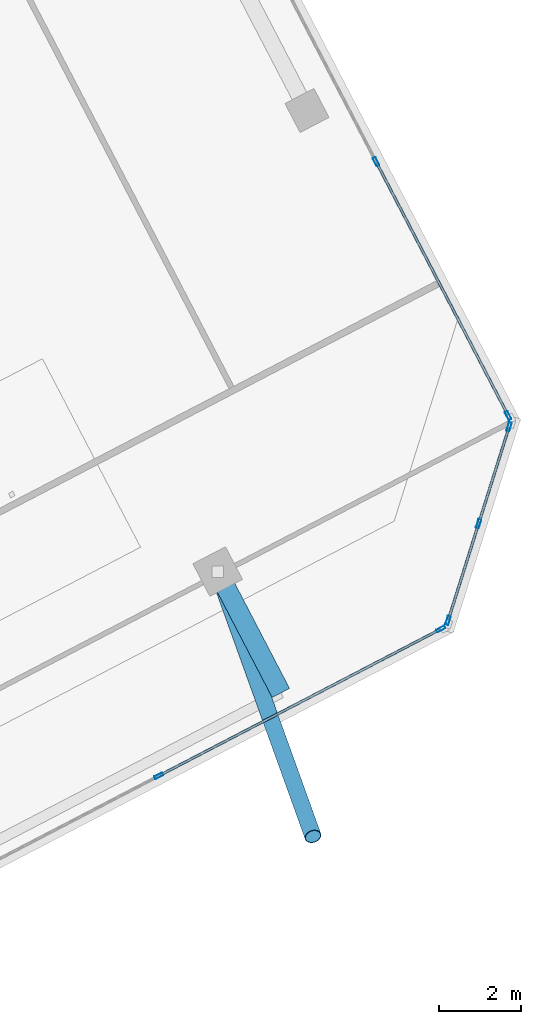
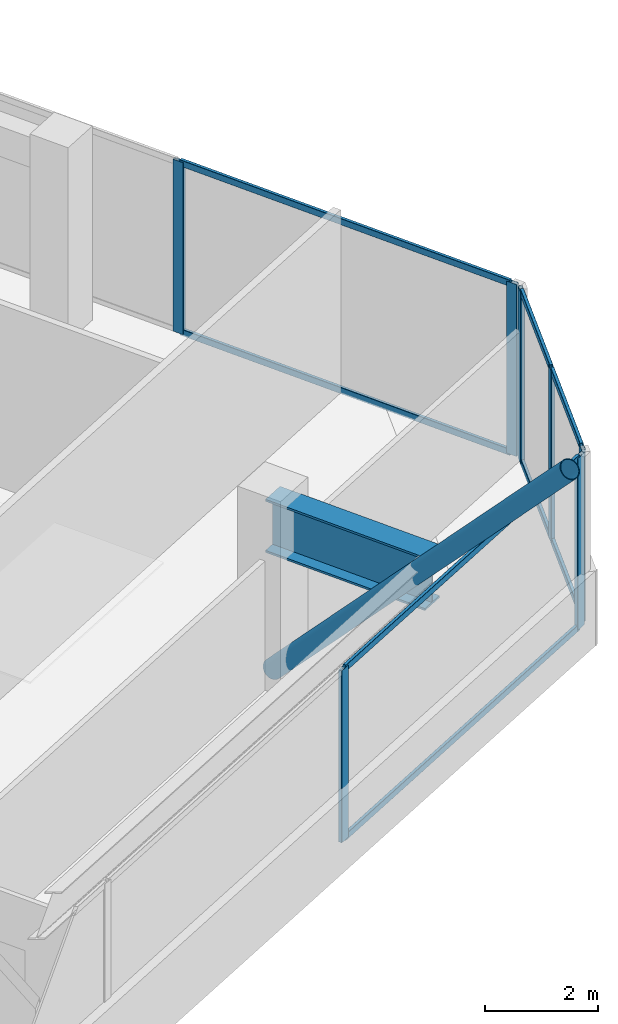
# One storey, part 6 of 17: 16 members, 1 beam, 3 elements without a shape of their own.
"""IFC4 building model written with IfcOpenShell, lengths in metres."""

from ifc_helpers import new_model, si_unit, direction, frame, origin, origin_2d, place, context, subcontext, project, spatial, hollow_rectangle, hollow_circle, i_section, extrude, source, transform, mapped, material, material_profile, profile_set, type_object, element, aggregate, save


model = new_model("IFC4")

# Units and contexts
model_context = context("Model", 3, precision=1e-05, world=origin(), true_north=direction((0.0, 1.0)))
body_context = subcontext(model_context, "Body", "Model", "MODEL_VIEW")
ifc_project = project(units=[si_unit("LENGTHUNIT", "METRE"), si_unit("AREAUNIT", "SQUARE_METRE"), si_unit("VOLUMEUNIT", "CUBIC_METRE"), si_unit("PLANEANGLEUNIT", "RADIAN"), si_unit("MASSUNIT", "GRAM", prefix="KILO")], contexts=[model_context])

# Site, building, storey
site_placement = place(None, origin())
site = spatial("IfcSite", under=ifc_project, at=site_placement, CompositionType="ELEMENT")
building_placement = place(site_placement, origin())
building = spatial("IfcBuilding", under=site, at=building_placement, Name="Torre Montelarca", CompositionType="ELEMENT")
storey_placement = place(building_placement, frame((0.0, 0.0, 332.39990234375)))
storey = spatial("IfcBuildingStorey", under=building, at=storey_placement, Name="L75", CompositionType="ELEMENT", Elevation=332.39990234375)

# Member
ifc_material_1 = material(Name="Steel ASTM A500 Grade C", Category="steel")
ifc_material_profile_1 = material_profile(ifc_material_1, hollow_circle(Radius=0.203125, WallThickness=0.015869140625, at=origin_2d()), Name="HSS406.4X15.9", Category="steel")
ifc_profile_set_1 = profile_set([ifc_material_profile_1], Name="Steel ASTM A500 Grade C")
member_type_1 = type_object("IfcMemberType", Name="MB-BR-CHS406-EXT", PredefinedType="BRACE", material=ifc_profile_set_1)
shared_shape_1 = source(origin(), body_context, "Body", "SweptSolid", [
    extrude(hollow_circle(Radius=0.203125, WallThickness=0.015869140625, at=origin_2d()), origin(), (0.0, 0.0, 1.0), 10.137451171875),
])
member_1_placement = place(storey_placement, frame((35.29150390625, 22.832275390625, 0.150146484375), z_axis=(0.230233342146, -0.639595931038, 0.733423242858), x_axis=(0.940897347367, 0.338691868395, 0.0)))
element("IfcMember", 1, at=member_1_placement, inside=storey, type_object=member_type_1, Name="L77 Sliding Tray Exterior Diagonal Raker Strut SKYLNG-E2", PredefinedType="BRACE", context=body_context, shape_type="MappedRepresentation", body=[
    mapped(shared_shape_1, transform((0.0, 0.0, 0.0), scale=1.0)),
])

# Beam
ifc_material_2 = material(Name="Steel ASTM A572 Grade 50", Category="steel")
ifc_material_profile_2 = material_profile(ifc_material_2, i_section(OverallWidth=0.47998046875, OverallDepth=1.14990234375, WebThickness=0.02197265625, FlangeThickness=0.044921875, at=origin_2d()), Name="PG1150X480X22X45", Category="steel")
ifc_profile_set_2 = profile_set([ifc_material_profile_2], Name="Steel ASTM A572 Grade 50")
beam_type = type_object("IfcBeamType", Name="BM-CG-PG1400-EXT", PredefinedType="USERDEFINED", material=ifc_profile_set_2)
shared_shape_2 = source(origin(), body_context, "Body", "SweptSolid", [
    extrude(i_section(OverallWidth=0.47998046875, OverallDepth=1.14990234375, WebThickness=0.02197265625, FlangeThickness=0.044921875, at=origin_2d()), origin(), (0.0, 0.0, 1.0), 3.349853515625),
])
beam_placement = place(storey_placement, frame((35.29150390625, 22.832275390625, 3.385009765625), z_axis=(0.461758844256, -0.887005507171, 0.0), x_axis=(0.887005507171, 0.461758844256, 0.0)))
element("IfcBeam", 2, at=beam_placement, inside=storey, type_object=beam_type, Name="L75 Sliding Tray Cantilever Girder East Y=40m (FLR)", ObjectType="CANTILEVER GIRDER", PredefinedType="USERDEFINED", context=body_context, shape_type="MappedRepresentation", body=[
    mapped(shared_shape_2, transform((0.0, 0.0, 0.0), scale=1.0)),
])

# Curtain wall, members
ifc_material_3 = material(Name="Insulated low-E laminated glass", Category="glass")
curtain_wall_type = type_object("IfcCurtainWallType", Name="CW-SYS-Z4", PredefinedType="USERDEFINED", material=ifc_material_3)
curtain_wall_1_placement = place(storey_placement, origin())
curtain_wall_1 = element("IfcCurtainWall", 3, at=curtain_wall_1_placement, inside=storey, type_object=curtain_wall_type, Name="L75 Curtain Wall Run CW-T3-L75-E06-B1", ObjectType="UNITISED GLAZING", PredefinedType="USERDEFINED")
ifc_material_4 = material(Name="Anodised aluminium AA 6063-T6", Category="aluminium")
ifc_material_profile_3 = material_profile(ifc_material_4, hollow_rectangle(XDim=0.074951171875, YDim=0.219970703125, WallThickness=0.0048828125, InnerFilletRadius=0.0048828125, OuterFilletRadius=0.010009765625, at=origin_2d()), Name="ALU75X220X5", Category="aluminium")
ifc_profile_set_3 = profile_set([ifc_material_profile_3], Name="Anodised aluminium AA 6063-T6")
member_type_2 = type_object("IfcMemberType", Name="CWM-ALU220", PredefinedType="MULLION", material=ifc_profile_set_3)
shared_shape_3 = source(origin(), body_context, "Body", "SweptSolid", [
    extrude(hollow_rectangle(XDim=0.074951171875, YDim=0.219970703125, WallThickness=0.0048828125, InnerFilletRadius=0.0048828125, OuterFilletRadius=0.010009765625, at=origin_2d()), origin(), (0.0, 0.0, 1.0), 3.72021484375),
])
member_2_placement = place(storey_placement, frame((33.84912109375, 17.831298828125, 0.0), z_axis=(0.0, 0.0, 1.0), x_axis=(-0.461745658928, 0.887012371087, 0.0)))
member_2 = element("IfcMember", 4, at=member_2_placement, type_object=member_type_2, Name="CW mullion 3", PredefinedType="MULLION", context=body_context, shape_type="MappedRepresentation", body=[
    mapped(shared_shape_3, transform((0.0, 0.0, 0.0), scale=1.0)),
])
member_3_placement = place(storey_placement, frame((40.754638671875, 21.426025390625, 0.0), z_axis=(0.0, 0.0, 1.0), x_axis=(-0.461745658928, 0.887012371087, 0.0)))
member_3 = element("IfcMember", 5, at=member_3_placement, type_object=member_type_2, Name="CW mullion 4", PredefinedType="MULLION", context=body_context, shape_type="MappedRepresentation", body=[
    mapped(shared_shape_3, transform((0.0, 0.0, 0.0), scale=1.0)),
])

curtain_wall_2_placement = place(storey_placement, origin())
curtain_wall_2 = element("IfcCurtainWall", 6, at=curtain_wall_2_placement, inside=storey, type_object=curtain_wall_type, Name="L75 Curtain Wall Run CW-T3-L75-E07-B1", ObjectType="UNITISED GLAZING", PredefinedType="USERDEFINED")
member_4_placement = place(storey_placement, frame((40.932373046875, 21.6376953125, 0.0), z_axis=(0.0, 0.0, 1.0), x_axis=(-0.953721038655, 0.300692834013, 0.0)))
member_4 = element("IfcMember", 7, at=member_4_placement, type_object=member_type_2, Name="CW mullion 1", PredefinedType="MULLION", context=body_context, shape_type="MappedRepresentation", body=[
    mapped(shared_shape_3, transform((0.0, 0.0, 0.0), scale=1.0)),
])
member_5_placement = place(storey_placement, frame((41.67919921875, 24.00634765625, 0.0), z_axis=(0.0, 0.0, 1.0), x_axis=(-0.953721038655, 0.300692834013, 0.0)))
member_5 = element("IfcMember", 8, at=member_5_placement, type_object=member_type_2, Name="CW mullion 2", PredefinedType="MULLION", context=body_context, shape_type="MappedRepresentation", body=[
    mapped(shared_shape_3, transform((0.0, 0.0, 0.0), scale=1.0)),
])
member_6_placement = place(storey_placement, frame((42.426025390625, 26.375244140625, 0.0), z_axis=(0.0, 0.0, 1.0), x_axis=(-0.953721038655, 0.300692834013, 0.0)))
member_6 = element("IfcMember", 9, at=member_6_placement, type_object=member_type_2, Name="CW mullion 3", PredefinedType="MULLION", context=body_context, shape_type="MappedRepresentation", body=[
    mapped(shared_shape_3, transform((0.0, 0.0, 0.0), scale=1.0)),
])

curtain_wall_3_placement = place(storey_placement, origin())
curtain_wall_3 = element("IfcCurtainWall", 10, at=curtain_wall_3_placement, inside=storey, type_object=curtain_wall_type, Name="L75 Curtain Wall Run CW-T3-L75-E08-B1", ObjectType="UNITISED GLAZING", PredefinedType="USERDEFINED")
member_7_placement = place(storey_placement, frame((42.40185546875, 26.650146484375, 0.0), z_axis=(0.0, 0.0, 1.0), x_axis=(-0.887012754742, -0.461744921926, 0.0)))
member_7 = element("IfcMember", 11, at=member_7_placement, type_object=member_type_2, Name="CW mullion 1", PredefinedType="MULLION", context=body_context, shape_type="MappedRepresentation", body=[
    mapped(shared_shape_3, transform((0.0, 0.0, 0.0), scale=1.0)),
])
member_8_placement = place(storey_placement, frame((39.16748046875, 32.863525390625, 0.0), z_axis=(0.0, 0.0, 1.0), x_axis=(-0.887012754742, -0.461744921926, 0.0)))
member_8 = element("IfcMember", 12, at=member_8_placement, type_object=member_type_2, Name="CW mullion 2", PredefinedType="MULLION", context=body_context, shape_type="MappedRepresentation", body=[
    mapped(shared_shape_3, transform((0.0, 0.0, 0.0), scale=1.0)),
])

# Member
ifc_material_profile_4 = material_profile(ifc_material_4, hollow_rectangle(XDim=0.06494140625, YDim=0.139892578125, WallThickness=0.00390625, InnerFilletRadius=0.00390625, OuterFilletRadius=0.008056640625, at=origin_2d()), Name="ALU65X140X4", Category="aluminium")
ifc_profile_set_4 = profile_set([ifc_material_profile_4], Name="Anodised aluminium AA 6063-T6")
member_type_3 = type_object("IfcMemberType", Name="CWT-ALU140", PredefinedType="USERDEFINED", material=ifc_profile_set_4)
shared_shape_4 = source(origin(), body_context, "Body", "SweptSolid", [
    extrude(hollow_rectangle(XDim=0.06494140625, YDim=0.139892578125, WallThickness=0.00390625, InnerFilletRadius=0.00390625, OuterFilletRadius=0.008056640625, at=origin_2d()), origin(), (0.0, 0.0, 1.0), 2.40869140625),
])
member_9_placement = place(storey_placement, frame((40.943603515625, 21.67333984375, 0.03271484375), z_axis=(0.300617148443, 0.953744897791, 0.0), x_axis=(-0.953744897791, 0.300617148443, 0.0)))
member_9 = element("IfcMember", 13, at=member_9_placement, type_object=member_type_3, Name="CW transom 1.1", ObjectType="TRANSOM", PredefinedType="USERDEFINED", context=body_context, shape_type="MappedRepresentation", body=[
    mapped(shared_shape_4, transform((0.0, 0.0, 0.0), scale=1.0)),
])

member_10_placement = place(storey_placement, frame((40.943603515625, 21.67333984375, 3.6875), z_axis=(0.300617148443, 0.953744897791, 0.0), x_axis=(-0.953744897791, 0.300617148443, 0.0)))
member_10 = element("IfcMember", 14, at=member_10_placement, type_object=member_type_3, Name="CW transom 1.2", ObjectType="TRANSOM", PredefinedType="USERDEFINED", context=body_context, shape_type="MappedRepresentation", body=[
    mapped(shared_shape_4, transform((0.0, 0.0, 0.0), scale=1.0)),
])

shared_shape_5 = source(origin(), body_context, "Body", "SweptSolid", [
    extrude(hollow_rectangle(XDim=0.06494140625, YDim=0.139892578125, WallThickness=0.00390625, InnerFilletRadius=0.00390625, OuterFilletRadius=0.008056640625, at=origin_2d()), origin(), (0.0, 0.0, 1.0), 2.408447265625),
])
member_11_placement = place(storey_placement, frame((41.6904296875, 24.042236328125, 0.03271484375), z_axis=(0.300646210642, 0.953735736998, 0.0), x_axis=(-0.953735736998, 0.300646210642, 0.0)))
member_11 = element("IfcMember", 15, at=member_11_placement, type_object=member_type_3, Name="CW transom 2.1", ObjectType="TRANSOM", PredefinedType="USERDEFINED", context=body_context, shape_type="MappedRepresentation", body=[
    mapped(shared_shape_5, transform((0.0, 0.0, 0.0), scale=1.0)),
])

member_12_placement = place(storey_placement, frame((41.6904296875, 24.042236328125, 3.6875), z_axis=(0.300646210642, 0.953735736998, 0.0), x_axis=(-0.953735736998, 0.300646210642, 0.0)))
member_12 = element("IfcMember", 16, at=member_12_placement, type_object=member_type_3, Name="CW transom 2.2", ObjectType="TRANSOM", PredefinedType="USERDEFINED", context=body_context, shape_type="MappedRepresentation", body=[
    mapped(shared_shape_5, transform((0.0, 0.0, 0.0), scale=1.0)),
])

aggregate(curtain_wall_2, [member_4, member_5, member_6, member_9, member_10, member_11, member_12])

shared_shape_6 = source(origin(), body_context, "Body", "SweptSolid", [
    extrude(hollow_rectangle(XDim=0.06494140625, YDim=0.139892578125, WallThickness=0.00390625, InnerFilletRadius=0.00390625, OuterFilletRadius=0.008056640625, at=origin_2d()), origin(), (0.0, 0.0, 1.0), 7.710205078125),
])
member_13_placement = place(storey_placement, frame((33.88232421875, 17.8486328125, 0.03271484375), z_axis=(0.887019195304, 0.461732549385, 0.0), x_axis=(-0.461732549385, 0.887019195304, 0.0)))
member_13 = element("IfcMember", 17, at=member_13_placement, type_object=member_type_3, Name="CW transom 3.1", ObjectType="TRANSOM", PredefinedType="USERDEFINED", context=body_context, shape_type="MappedRepresentation", body=[
    mapped(shared_shape_6, transform((0.0, 0.0, 0.0), scale=1.0)),
])

member_14_placement = place(storey_placement, frame((33.88232421875, 17.8486328125, 3.6875), z_axis=(0.887019195304, 0.461732549385, 0.0), x_axis=(-0.461732549385, 0.887019195304, 0.0)))
member_14 = element("IfcMember", 18, at=member_14_placement, type_object=member_type_3, Name="CW transom 3.2", ObjectType="TRANSOM", PredefinedType="USERDEFINED", context=body_context, shape_type="MappedRepresentation", body=[
    mapped(shared_shape_6, transform((0.0, 0.0, 0.0), scale=1.0)),
])

aggregate(curtain_wall_1, [member_2, member_3, member_13, member_14])

shared_shape_7 = source(origin(), body_context, "Body", "SweptSolid", [
    extrude(hollow_rectangle(XDim=0.06494140625, YDim=0.139892578125, WallThickness=0.00390625, InnerFilletRadius=0.00390625, OuterFilletRadius=0.008056640625, at=origin_2d()), origin(), (0.0, 0.0, 1.0), 6.929443359375),
])
member_15_placement = place(storey_placement, frame((42.384521484375, 26.68359375, 0.03271484375), z_axis=(-0.461754266382, 0.887007890313, 0.0), x_axis=(-0.887007890313, -0.461754266382, 0.0)))
member_15 = element("IfcMember", 19, at=member_15_placement, type_object=member_type_3, Name="CW transom 1.1", ObjectType="TRANSOM", PredefinedType="USERDEFINED", context=body_context, shape_type="MappedRepresentation", body=[
    mapped(shared_shape_7, transform((0.0, 0.0, 0.0), scale=1.0)),
])

member_16_placement = place(storey_placement, frame((42.384521484375, 26.68359375, 3.6875), z_axis=(-0.461754266382, 0.887007890313, 0.0), x_axis=(-0.887007890313, -0.461754266382, 0.0)))
member_16 = element("IfcMember", 20, at=member_16_placement, type_object=member_type_3, Name="CW transom 1.2", ObjectType="TRANSOM", PredefinedType="USERDEFINED", context=body_context, shape_type="MappedRepresentation", body=[
    mapped(shared_shape_7, transform((0.0, 0.0, 0.0), scale=1.0)),
])

aggregate(curtain_wall_3, [member_7, member_8, member_15, member_16])

save(model, "model.ifc")
